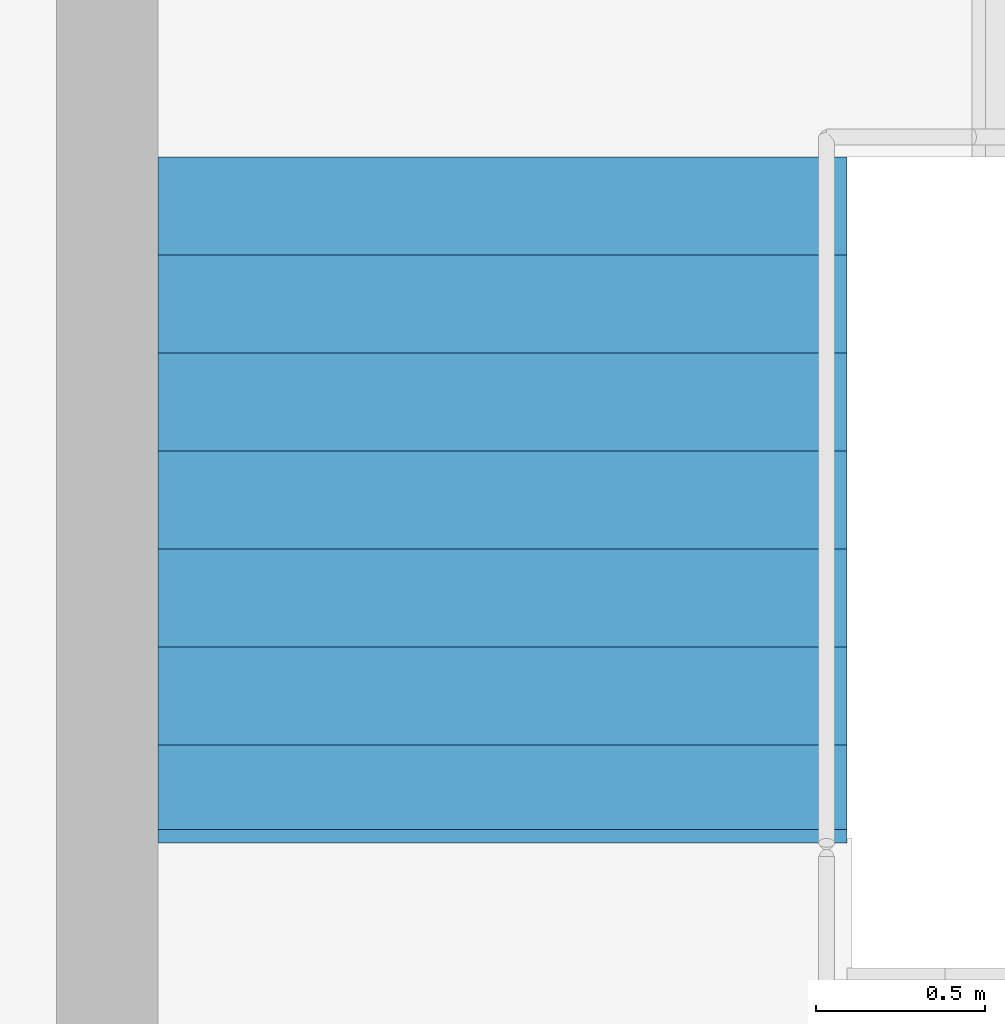
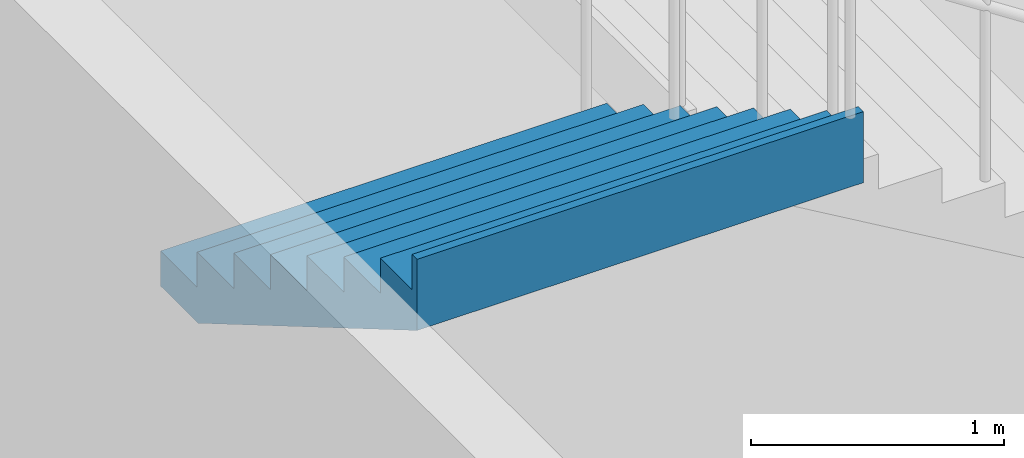
# One storey, part 66 of 74: 1 stair flight, 1 element without a shape of its own.
"""IFC4 building model written with IfcOpenShell, lengths in metres."""

from ifc_helpers import new_model, si_unit, direction, frame, origin, place, context, subcontext, project, spatial, triangles, material, type_object, element, aggregate, save


model = new_model("IFC4")

# Units and contexts
model_context = context("Model", 3, precision=1e-05, world=origin(), true_north=direction((0.0, 1.0)))
body_context = subcontext(model_context, "Body", "Model", "MODEL_VIEW")
ifc_project = project(units=[si_unit("LENGTHUNIT", "METRE"), si_unit("AREAUNIT", "SQUARE_METRE"), si_unit("VOLUMEUNIT", "CUBIC_METRE"), si_unit("PLANEANGLEUNIT", "RADIAN"), si_unit("MASSUNIT", "GRAM", prefix="KILO")], contexts=[model_context])

# Site, building, storey
site_placement = place(None, origin())
site = spatial("IfcSite", under=ifc_project, at=site_placement, CompositionType="ELEMENT")
building_placement = place(site_placement, origin())
building = spatial("IfcBuilding", under=site, at=building_placement, Name="Sillaruma Civic Art Gallery", CompositionType="ELEMENT")
storey_placement = place(building_placement, frame((0.0, 0.0, 5.43994140625)))
storey = spatial("IfcBuildingStorey", under=building, at=storey_placement, Name="L01", CompositionType="ELEMENT", Elevation=5.43994140625)

# Stair, stair flight
ifc_material = material(Name="Concrete H35 (35 MPa)", Category="concrete")
stair_type = type_object("IfcStairType", Name="STR-4F-32", PredefinedType="USERDEFINED", material=ifc_material)
stair_placement = place(storey_placement, origin())
stair = element("IfcStair", 1, at=stair_placement, inside=storey, type_object=stair_type, Name="Protected Exit Stair ST-05 (East Wing) (L01)", ObjectType="THREE_RETURN_STAIR", PredefinedType="USERDEFINED")
stair_flight_type = type_object("IfcStairFlightType", Name="SFL-STR-8", PredefinedType="STRAIGHT", material=ifc_material)
stair_flight_placement = place(storey_placement, frame((143.179931640625, 15.840087890625, 4.080078125), z_axis=(0.0, 0.0, 1.0), x_axis=(0.0, -1.0, 0.0)))
stair_flight = element("IfcStairFlight", 2, at=stair_flight_placement, type_object=stair_flight_type, Name="ST-05 flight 4", NumberOfRisers=8, NumberOfTreads=7, PredefinedType="STRAIGHT", RiserHeight=0.17, TreadLength=0.29, context=body_context, shape_type="Tessellation", body=[
    triangles([(0.0, -1.02001953125, 0.0), (0.29, -1.02001953125, 0.0), (0.296443, -1.02001953125, 0.0), (0.58, -1.02001953125, 0.166223), (0.87, -1.02001953125, 0.336223), (1.16, -1.02001953125, 0.506223), (1.45, -1.02001953125, 0.676223), (1.74, -1.02001953125, 0.846223), (1.990029, -1.02001953125, 0.992792), (2.030029, -1.02001953125, 1.01624), (2.030029, -1.02001953125, 1.36), (1.990029, -1.02001953125, 1.36), (1.990029, -1.02001953125, 1.19), (1.74, -1.02001953125, 1.19), (1.74, -1.02001953125, 1.02), (1.45, -1.02001953125, 1.02), (1.45, -1.02001953125, 0.85), (1.16, -1.02001953125, 0.85), (1.16, -1.02001953125, 0.68), (0.87, -1.02001953125, 0.68), (0.87, -1.02001953125, 0.51), (0.58, -1.02001953125, 0.51), (0.58, -1.02001953125, 0.34), (0.296443, -1.02001953125, 0.34), (0.29, -1.02001953125, 0.34), (0.29, -1.02001953125, 0.17), (0.0, -1.02001953125, 0.17), (0.0, -0.05, 0.0), (0.29, -0.05, 0.0), (0.296443, -0.05, 0.0), (0.58, -0.05, 0.166223), (0.87, -0.05, 0.336223), (1.16, -0.05, 0.506223), (1.45, -0.05, 0.676223), (1.74, -0.05, 0.846223), (1.990029, -0.05, 0.992792), (2.030029, -0.05, 1.01624), (2.030029, -0.05, 1.36), (1.990029, -0.05, 1.36), (1.990029, -0.05, 1.19), (1.74, -0.05, 1.19), (1.74, -0.05, 1.02), (1.45, -0.05, 1.02), (1.45, -0.05, 0.85), (1.16, -0.05, 0.85), (1.16, -0.05, 0.68), (0.87, -0.05, 0.68), (0.87, -0.05, 0.51), (0.58, -0.05, 0.51), (0.58, -0.05, 0.34), (0.296443, -0.05, 0.34), (0.29, -0.05, 0.34), (0.29, -0.05, 0.17), (0.0, -0.05, 0.17), (0.0, -0.0375, 0.0), (0.29, -0.0375, 0.0), (0.296443, -0.0375, 0.0), (0.58, -0.0375, 0.166223), (0.87, -0.0375, 0.336223), (1.16, -0.0375, 0.506223), (1.45, -0.0375, 0.676223), (1.74, -0.0375, 0.846223), (1.990029, -0.0375, 0.992792), (2.030029, -0.0375, 1.01624), (2.030029, -0.0375, 1.36), (1.990029, -0.0375, 1.36), (1.990029, -0.0375, 1.19), (1.74, -0.0375, 1.19), (1.74, -0.0375, 1.02), (1.45, -0.0375, 1.02), (1.45, -0.0375, 0.85), (1.16, -0.0375, 0.85), (1.16, -0.0375, 0.68), (0.87, -0.0375, 0.68), (0.87, -0.0375, 0.51), (0.58, -0.0375, 0.51), (0.58, -0.0375, 0.34), (0.296443, -0.0375, 0.34), (0.29, -0.0375, 0.34), (0.29, -0.0375, 0.17), (0.0, -0.0375, 0.17), (0.0, -0.025, 0.0), (0.29, -0.025, 0.0), (0.296443, -0.025, 0.0), (0.58, -0.025, 0.166223), (0.87, -0.025, 0.336223), (1.16, -0.025, 0.506223), (1.45, -0.025, 0.676223), (1.74, -0.025, 0.846223), (1.990029, -0.025, 0.992792), (2.030029, -0.025, 1.01624), (2.030029, -0.025, 1.36), (1.990029, -0.025, 1.36), (1.990029, -0.025, 1.19), (1.74, -0.025, 1.19), (1.74, -0.025, 1.02), (1.45, -0.025, 1.02), (1.45, -0.025, 0.85), (1.16, -0.025, 0.85), (1.16, -0.025, 0.68), (0.87, -0.025, 0.68), (0.87, -0.025, 0.51), (0.58, -0.025, 0.51), (0.58, -0.025, 0.34), (0.296443, -0.025, 0.34), (0.29, -0.025, 0.34), (0.29, -0.025, 0.17), (0.0, -0.025, 0.17), (0.0, -0.0125, 0.0), (0.29, -0.0125, 0.0), (0.296443, -0.0125, 0.0), (0.58, -0.0125, 0.166223), (0.87, -0.0125, 0.336223), (1.16, -0.0125, 0.506223), (1.45, -0.0125, 0.676223), (1.74, -0.0125, 0.846223), (1.990029, -0.0125, 0.992792), (2.030029, -0.0125, 1.01624), (2.030029, -0.0125, 1.36), (1.990029, -0.0125, 1.36), (1.990029, -0.0125, 1.19), (1.74, -0.0125, 1.19), (1.74, -0.0125, 1.02), (1.45, -0.0125, 1.02), (1.45, -0.0125, 0.85), (1.16, -0.0125, 0.85), (1.16, -0.0125, 0.68), (0.87, -0.0125, 0.68), (0.87, -0.0125, 0.51), (0.58, -0.0125, 0.51), (0.58, -0.0125, 0.34), (0.296443, -0.0125, 0.34), (0.29, -0.0125, 0.34), (0.29, -0.0125, 0.17), (0.0, -0.0125, 0.17), (0.0, 0.0, 0.0), (0.29, 0.0, 0.0), (0.296443, 0.0, 0.0), (0.58, 0.0, 0.166223), (0.87, 0.0, 0.336223), (1.16, 0.0, 0.506223), (1.45, 0.0, 0.676223), (1.74, 0.0, 0.846223), (1.990029, 0.0, 0.992792), (2.030029, 0.0, 1.01624), (2.030029, 0.0, 1.36), (1.990029, 0.0, 1.36), (1.990029, 0.0, 1.19), (1.74, 0.0, 1.19), (1.74, 0.0, 1.02), (1.45, 0.0, 1.02), (1.45, 0.0, 0.85), (1.16, 0.0, 0.85), (1.16, 0.0, 0.68), (0.87, 0.0, 0.68), (0.87, 0.0, 0.51), (0.58, 0.0, 0.51), (0.58, 0.0, 0.34), (0.296443, 0.0, 0.34), (0.29, 0.0, 0.34), (0.29, 0.0, 0.17), (0.0, 0.0, 0.17), (0.0, 0.0125, 0.0), (0.29, 0.0125, 0.0), (0.296443, 0.0125, 0.0), (0.58, 0.0125, 0.166223), (0.87, 0.0125, 0.336223), (1.16, 0.0125, 0.506223), (1.45, 0.0125, 0.676223), (1.74, 0.0125, 0.846223), (1.990029, 0.0125, 0.992792), (2.030029, 0.0125, 1.01624), (2.030029, 0.0125, 1.36), (1.990029, 0.0125, 1.36), (1.990029, 0.0125, 1.19), (1.74, 0.0125, 1.19), (1.74, 0.0125, 1.02), (1.45, 0.0125, 1.02), (1.45, 0.0125, 0.85), (1.16, 0.0125, 0.85), (1.16, 0.0125, 0.68), (0.87, 0.0125, 0.68), (0.87, 0.0125, 0.51), (0.58, 0.0125, 0.51), (0.58, 0.0125, 0.34), (0.296443, 0.0125, 0.34), (0.29, 0.0125, 0.34), (0.29, 0.0125, 0.17), (0.0, 0.0125, 0.17), (0.0, 0.025, 0.0), (0.29, 0.025, 0.0), (0.296443, 0.025, 0.0), (0.58, 0.025, 0.166223), (0.87, 0.025, 0.336223), (1.16, 0.025, 0.506223), (1.45, 0.025, 0.676223), (1.74, 0.025, 0.846223), (1.990029, 0.025, 0.992792), (2.030029, 0.025, 1.01624), (2.030029, 0.025, 1.36), (1.990029, 0.025, 1.36), (1.990029, 0.025, 1.19), (1.74, 0.025, 1.19), (1.74, 0.025, 1.02), (1.45, 0.025, 1.02), (1.45, 0.025, 0.85), (1.16, 0.025, 0.85), (1.16, 0.025, 0.68), (0.87, 0.025, 0.68), (0.87, 0.025, 0.51), (0.58, 0.025, 0.51), (0.58, 0.025, 0.34), (0.296443, 0.025, 0.34), (0.29, 0.025, 0.34), (0.29, 0.025, 0.17), (0.0, 0.025, 0.17), (0.0, 0.0375, 0.0), (0.29, 0.0375, 0.0), (0.296443, 0.0375, 0.0), (0.58, 0.0375, 0.166223), (0.87, 0.0375, 0.336223), (1.16, 0.0375, 0.506223), (1.45, 0.0375, 0.676223), (1.74, 0.0375, 0.846223), (1.990029, 0.0375, 0.992792), (2.030029, 0.0375, 1.01624), (2.030029, 0.0375, 1.36), (1.990029, 0.0375, 1.36), (1.990029, 0.0375, 1.19), (1.74, 0.0375, 1.19), (1.74, 0.0375, 1.02), (1.45, 0.0375, 1.02), (1.45, 0.0375, 0.85), (1.16, 0.0375, 0.85), (1.16, 0.0375, 0.68), (0.87, 0.0375, 0.68), (0.87, 0.0375, 0.51), (0.58, 0.0375, 0.51), (0.58, 0.0375, 0.34), (0.296443, 0.0375, 0.34), (0.29, 0.0375, 0.34), (0.29, 0.0375, 0.17), (0.0, 0.0375, 0.17), (0.0, 0.05, 0.0), (0.29, 0.05, 0.0), (0.296443, 0.05, 0.0), (0.58, 0.05, 0.166223), (0.87, 0.05, 0.336223), (1.16, 0.05, 0.506223), (1.45, 0.05, 0.676223), (1.74, 0.05, 0.846223), (1.990029, 0.05, 0.992792), (2.030029, 0.05, 1.01624), (2.030029, 0.05, 1.36), (1.990029, 0.05, 1.36), (1.990029, 0.05, 1.19), (1.74, 0.05, 1.19), (1.74, 0.05, 1.02), (1.45, 0.05, 1.02), (1.45, 0.05, 0.85), (1.16, 0.05, 0.85), (1.16, 0.05, 0.68), (0.87, 0.05, 0.68), (0.87, 0.05, 0.51), (0.58, 0.05, 0.51), (0.58, 0.05, 0.34), (0.296443, 0.05, 0.34), (0.29, 0.05, 0.34), (0.29, 0.05, 0.17), (0.0, 0.05, 0.17), (0.0, 1.02001953125, 0.0), (0.29, 1.02001953125, 0.0), (0.296443, 1.02001953125, 0.0), (0.58, 1.02001953125, 0.166223), (0.87, 1.02001953125, 0.336223), (1.16, 1.02001953125, 0.506223), (1.45, 1.02001953125, 0.676223), (1.74, 1.02001953125, 0.846223), (1.990029, 1.02001953125, 0.992792), (2.030029, 1.02001953125, 1.01624), (2.030029, 1.02001953125, 1.36), (1.990029, 1.02001953125, 1.36), (1.990029, 1.02001953125, 1.19), (1.74, 1.02001953125, 1.19), (1.74, 1.02001953125, 1.02), (1.45, 1.02001953125, 1.02), (1.45, 1.02001953125, 0.85), (1.16, 1.02001953125, 0.85), (1.16, 1.02001953125, 0.68), (0.87, 1.02001953125, 0.68), (0.87, 1.02001953125, 0.51), (0.58, 1.02001953125, 0.51), (0.58, 1.02001953125, 0.34), (0.296443, 1.02001953125, 0.34), (0.29, 1.02001953125, 0.34), (0.29, 1.02001953125, 0.17), (0.0, 1.02001953125, 0.17)], [[1, 2, 26], [1, 26, 27], [2, 3, 24], [2, 24, 26], [26, 24, 25], [3, 4, 23], [3, 23, 24], [4, 5, 21], [4, 21, 23], [23, 21, 22], [5, 6, 19], [5, 19, 21], [21, 19, 20], [6, 7, 17], [6, 17, 19], [19, 17, 18], [7, 8, 15], [7, 15, 17], [17, 15, 16], [8, 9, 13], [8, 13, 15], [15, 13, 14], [9, 10, 11], [9, 11, 13], [13, 11, 12], [296, 272, 271], [297, 296, 271], [294, 273, 272], [296, 294, 272], [295, 294, 296], [293, 274, 273], [294, 293, 273], [291, 275, 274], [293, 291, 274], [292, 291, 293], [289, 276, 275], [291, 289, 275], [290, 289, 291], [287, 277, 276], [289, 287, 276], [288, 287, 289], [285, 278, 277], [287, 285, 277], [286, 285, 287], [283, 279, 278], [285, 283, 278], [284, 283, 285], [281, 280, 279], [283, 281, 279], [282, 281, 283], [2, 1, 28], [2, 28, 29], [3, 2, 29], [3, 29, 30], [4, 3, 30], [4, 30, 31], [5, 4, 31], [5, 31, 32], [6, 5, 32], [6, 32, 33], [7, 6, 33], [7, 33, 34], [8, 7, 34], [8, 34, 35], [9, 8, 35], [9, 35, 36], [10, 9, 36], [10, 36, 37], [11, 10, 37], [11, 37, 38], [12, 11, 38], [12, 38, 39], [13, 12, 39], [13, 39, 40], [14, 13, 40], [14, 40, 41], [15, 14, 41], [15, 41, 42], [16, 15, 42], [16, 42, 43], [17, 16, 43], [17, 43, 44], [18, 17, 44], [18, 44, 45], [19, 18, 45], [19, 45, 46], [20, 19, 46], [20, 46, 47], [21, 20, 47], [21, 47, 48], [22, 21, 48], [22, 48, 49], [23, 22, 49], [23, 49, 50], [24, 23, 50], [24, 50, 51], [25, 24, 51], [25, 51, 52], [26, 25, 52], [26, 52, 53], [27, 26, 53], [27, 53, 54], [1, 27, 54], [1, 54, 28], [29, 28, 55], [29, 55, 56], [30, 29, 56], [30, 56, 57], [31, 30, 57], [31, 57, 58], [32, 31, 58], [32, 58, 59], [33, 32, 59], [33, 59, 60], [34, 33, 60], [34, 60, 61], [35, 34, 61], [35, 61, 62], [36, 35, 62], [36, 62, 63], [37, 36, 63], [37, 63, 64], [38, 37, 64], [38, 64, 65], [39, 38, 65], [39, 65, 66], [40, 39, 66], [40, 66, 67], [41, 40, 67], [41, 67, 68], [42, 41, 68], [42, 68, 69], [43, 42, 69], [43, 69, 70], [44, 43, 70], [44, 70, 71], [45, 44, 71], [45, 71, 72], [46, 45, 72], [46, 72, 73], [47, 46, 73], [47, 73, 74], [48, 47, 74], [48, 74, 75], [49, 48, 75], [49, 75, 76], [50, 49, 76], [50, 76, 77], [51, 50, 77], [51, 77, 78], [52, 51, 78], [52, 78, 79], [53, 52, 79], [53, 79, 80], [54, 53, 80], [54, 80, 81], [28, 54, 81], [28, 81, 55], [56, 55, 82], [56, 82, 83], [57, 56, 83], [57, 83, 84], [58, 57, 84], [58, 84, 85], [59, 58, 85], [59, 85, 86], [60, 59, 86], [60, 86, 87], [61, 60, 87], [61, 87, 88], [62, 61, 88], [62, 88, 89], [63, 62, 89], [63, 89, 90], [64, 63, 90], [64, 90, 91], [65, 64, 91], [65, 91, 92], [66, 65, 92], [66, 92, 93], [67, 66, 93], [67, 93, 94], [68, 67, 94], [68, 94, 95], [69, 68, 95], [69, 95, 96], [70, 69, 96], [70, 96, 97], [71, 70, 97], [71, 97, 98], [72, 71, 98], [72, 98, 99], [73, 72, 99], [73, 99, 100], [74, 73, 100], [74, 100, 101], [75, 74, 101], [75, 101, 102], [76, 75, 102], [76, 102, 103], [77, 76, 103], [77, 103, 104], [78, 77, 104], [78, 104, 105], [79, 78, 105], [79, 105, 106], [80, 79, 106], [80, 106, 107], [81, 80, 107], [81, 107, 108], [55, 81, 108], [55, 108, 82], [83, 82, 109], [83, 109, 110], [84, 83, 110], [84, 110, 111], [85, 84, 111], [85, 111, 112], [86, 85, 112], [86, 112, 113], [87, 86, 113], [87, 113, 114], [88, 87, 114], [88, 114, 115], [89, 88, 115], [89, 115, 116], [90, 89, 116], [90, 116, 117], [91, 90, 117], [91, 117, 118], [92, 91, 118], [92, 118, 119], [93, 92, 119], [93, 119, 120], [94, 93, 120], [94, 120, 121], [95, 94, 121], [95, 121, 122], [96, 95, 122], [96, 122, 123], [97, 96, 123], [97, 123, 124], [98, 97, 124], [98, 124, 125], [99, 98, 125], [99, 125, 126], [100, 99, 126], [100, 126, 127], [101, 100, 127], [101, 127, 128], [102, 101, 128], [102, 128, 129], [103, 102, 129], [103, 129, 130], [104, 103, 130], [104, 130, 131], [105, 104, 131], [105, 131, 132], [106, 105, 132], [106, 132, 133], [107, 106, 133], [107, 133, 134], [108, 107, 134], [108, 134, 135], [82, 108, 135], [82, 135, 109], [110, 109, 136], [110, 136, 137], [111, 110, 137], [111, 137, 138], [112, 111, 138], [112, 138, 139], [113, 112, 139], [113, 139, 140], [114, 113, 140], [114, 140, 141], [115, 114, 141], [115, 141, 142], [116, 115, 142], [116, 142, 143], [117, 116, 143], [117, 143, 144], [118, 117, 144], [118, 144, 145], [119, 118, 145], [119, 145, 146], [120, 119, 146], [120, 146, 147], [121, 120, 147], [121, 147, 148], [122, 121, 148], [122, 148, 149], [123, 122, 149], [123, 149, 150], [124, 123, 150], [124, 150, 151], [125, 124, 151], [125, 151, 152], [126, 125, 152], [126, 152, 153], [127, 126, 153], [127, 153, 154], [128, 127, 154], [128, 154, 155], [129, 128, 155], [129, 155, 156], [130, 129, 156], [130, 156, 157], [131, 130, 157], [131, 157, 158], [132, 131, 158], [132, 158, 159], [133, 132, 159], [133, 159, 160], [134, 133, 160], [134, 160, 161], [135, 134, 161], [135, 161, 162], [109, 135, 162], [109, 162, 136], [137, 136, 163], [137, 163, 164], [138, 137, 164], [138, 164, 165], [139, 138, 165], [139, 165, 166], [140, 139, 166], [140, 166, 167], [141, 140, 167], [141, 167, 168], [142, 141, 168], [142, 168, 169], [143, 142, 169], [143, 169, 170], [144, 143, 170], [144, 170, 171], [145, 144, 171], [145, 171, 172], [146, 145, 172], [146, 172, 173], [147, 146, 173], [147, 173, 174], [148, 147, 174], [148, 174, 175], [149, 148, 175], [149, 175, 176], [150, 149, 176], [150, 176, 177], [151, 150, 177], [151, 177, 178], [152, 151, 178], [152, 178, 179], [153, 152, 179], [153, 179, 180], [154, 153, 180], [154, 180, 181], [155, 154, 181], [155, 181, 182], [156, 155, 182], [156, 182, 183], [157, 156, 183], [157, 183, 184], [158, 157, 184], [158, 184, 185], [159, 158, 185], [159, 185, 186], [160, 159, 186], [160, 186, 187], [161, 160, 187], [161, 187, 188], [162, 161, 188], [162, 188, 189], [136, 162, 189], [136, 189, 163], [164, 163, 190], [164, 190, 191], [165, 164, 191], [165, 191, 192], [166, 165, 192], [166, 192, 193], [167, 166, 193], [167, 193, 194], [168, 167, 194], [168, 194, 195], [169, 168, 195], [169, 195, 196], [170, 169, 196], [170, 196, 197], [171, 170, 197], [171, 197, 198], [172, 171, 198], [172, 198, 199], [173, 172, 199], [173, 199, 200], [174, 173, 200], [174, 200, 201], [175, 174, 201], [175, 201, 202], [176, 175, 202], [176, 202, 203], [177, 176, 203], [177, 203, 204], [178, 177, 204], [178, 204, 205], [179, 178, 205], [179, 205, 206], [180, 179, 206], [180, 206, 207], [181, 180, 207], [181, 207, 208], [182, 181, 208], [182, 208, 209], [183, 182, 209], [183, 209, 210], [184, 183, 210], [184, 210, 211], [185, 184, 211], [185, 211, 212], [186, 185, 212], [186, 212, 213], [187, 186, 213], [187, 213, 214], [188, 187, 214], [188, 214, 215], [189, 188, 215], [189, 215, 216], [163, 189, 216], [163, 216, 190], [191, 190, 217], [191, 217, 218], [192, 191, 218], [192, 218, 219], [193, 192, 219], [193, 219, 220], [194, 193, 220], [194, 220, 221], [195, 194, 221], [195, 221, 222], [196, 195, 222], [196, 222, 223], [197, 196, 223], [197, 223, 224], [198, 197, 224], [198, 224, 225], [199, 198, 225], [199, 225, 226], [200, 199, 226], [200, 226, 227], [201, 200, 227], [201, 227, 228], [202, 201, 228], [202, 228, 229], [203, 202, 229], [203, 229, 230], [204, 203, 230], [204, 230, 231], [205, 204, 231], [205, 231, 232], [206, 205, 232], [206, 232, 233], [207, 206, 233], [207, 233, 234], [208, 207, 234], [208, 234, 235], [209, 208, 235], [209, 235, 236], [210, 209, 236], [210, 236, 237], [211, 210, 237], [211, 237, 238], [212, 211, 238], [212, 238, 239], [213, 212, 239], [213, 239, 240], [214, 213, 240], [214, 240, 241], [215, 214, 241], [215, 241, 242], [216, 215, 242], [216, 242, 243], [190, 216, 243], [190, 243, 217], [218, 217, 244], [218, 244, 245], [219, 218, 245], [219, 245, 246], [220, 219, 246], [220, 246, 247], [221, 220, 247], [221, 247, 248], [222, 221, 248], [222, 248, 249], [223, 222, 249], [223, 249, 250], [224, 223, 250], [224, 250, 251], [225, 224, 251], [225, 251, 252], [226, 225, 252], [226, 252, 253], [227, 226, 253], [227, 253, 254], [228, 227, 254], [228, 254, 255], [229, 228, 255], [229, 255, 256], [230, 229, 256], [230, 256, 257], [231, 230, 257], [231, 257, 258], [232, 231, 258], [232, 258, 259], [233, 232, 259], [233, 259, 260], [234, 233, 260], [234, 260, 261], [235, 234, 261], [235, 261, 262], [236, 235, 262], [236, 262, 263], [237, 236, 263], [237, 263, 264], [238, 237, 264], [238, 264, 265], [239, 238, 265], [239, 265, 266], [240, 239, 266], [240, 266, 267], [241, 240, 267], [241, 267, 268], [242, 241, 268], [242, 268, 269], [243, 242, 269], [243, 269, 270], [217, 243, 270], [217, 270, 244], [245, 244, 271], [245, 271, 272], [246, 245, 272], [246, 272, 273], [247, 246, 273], [247, 273, 274], [248, 247, 274], [248, 274, 275], [249, 248, 275], [249, 275, 276], [250, 249, 276], [250, 276, 277], [251, 250, 277], [251, 277, 278], [252, 251, 278], [252, 278, 279], [253, 252, 279], [253, 279, 280], [254, 253, 280], [254, 280, 281], [255, 254, 281], [255, 281, 282], [256, 255, 282], [256, 282, 283], [257, 256, 283], [257, 283, 284], [258, 257, 284], [258, 284, 285], [259, 258, 285], [259, 285, 286], [260, 259, 286], [260, 286, 287], [261, 260, 287], [261, 287, 288], [262, 261, 288], [262, 288, 289], [263, 262, 289], [263, 289, 290], [264, 263, 290], [264, 290, 291], [265, 264, 291], [265, 291, 292], [266, 265, 292], [266, 292, 293], [267, 266, 293], [267, 293, 294], [268, 267, 294], [268, 294, 295], [269, 268, 295], [269, 295, 296], [270, 269, 296], [270, 296, 297], [244, 270, 297], [244, 297, 271]], closed=True),
])
aggregate(stair, [stair_flight])

save(model, "model.ifc")
